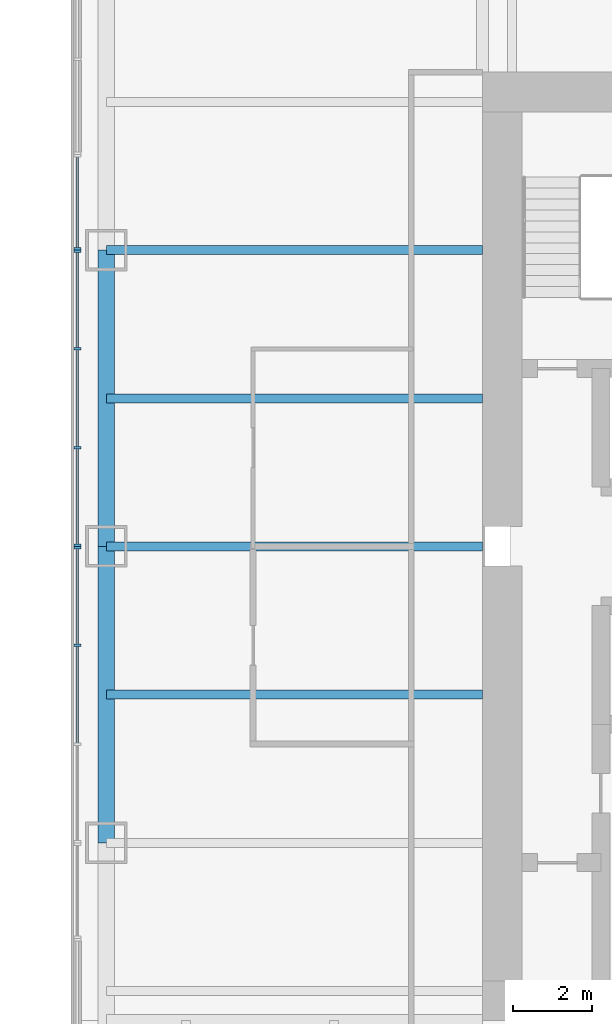
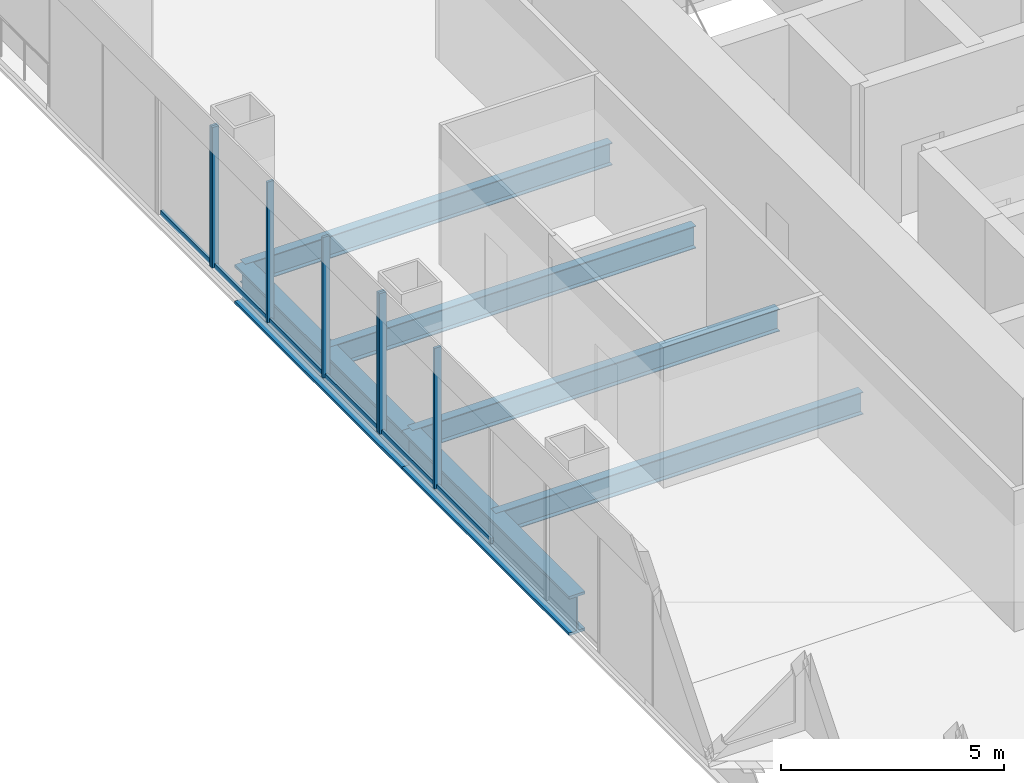
# One storey, part 3 of 13: 13 members, 6 beams, 3 elements without a shape of their own.
"""IFC4 building model written with IfcOpenShell, lengths in metres."""

from ifc_helpers import new_model, si_unit, direction, frame, origin, origin_2d, place, context, subcontext, project, spatial, rectangle, i_section, extrude, material, material_profile, profile_set, type_object, element, aggregate, save


model = new_model("IFC4")

# Units and contexts
model_context = context("Model", 3, precision=1e-05, world=origin(), true_north=direction((0.0, 1.0)))
body_context = subcontext(model_context, "Body", "Model", "MODEL_VIEW")
ifc_project = project(units=[si_unit("LENGTHUNIT", "METRE"), si_unit("AREAUNIT", "SQUARE_METRE"), si_unit("VOLUMEUNIT", "CUBIC_METRE"), si_unit("PLANEANGLEUNIT", "RADIAN"), si_unit("MASSUNIT", "GRAM", prefix="KILO")], contexts=[model_context])

# Site, building, storey
site_placement = place(None, origin())
site = spatial("IfcSite", under=ifc_project, at=site_placement, CompositionType="ELEMENT")
building_placement = place(site_placement, origin())
building = spatial("IfcBuilding", under=site, at=building_placement, Name="Tarangal Relay Tower", CompositionType="ELEMENT")
storey_placement = place(building_placement, frame((0.0, 0.0, 221.89990234375)))
storey = spatial("IfcBuildingStorey", under=building, at=storey_placement, Name="L47", CompositionType="ELEMENT", Elevation=221.89990234375)

# Beams
ifc_material_1 = material(Name="Steel ASTM A992", Category="steel")
ifc_material_profile_1 = material_profile(ifc_material_1, i_section(OverallWidth=0.41650390625, OverallDepth=1.0693359375, WebThickness=0.0390625, FlangeThickness=0.070068359375, at=origin_2d()), Name="W40X503")
ifc_profile_set_1 = profile_set([ifc_material_profile_1], Name="Steel ASTM A992")
beam_type_1 = type_object("IfcBeamType", Name="Edge girder W40X503", PredefinedType="SPANDREL", material=ifc_profile_set_1)
for number, where, z_axis, x_axis, name in (
    (1, (-21.514892578125, -7.5, -0.6845703125), (0.0, 1.0, 0.0), (-1.0, 0.0, 0.0), "Edge girder EG8 W L47"),
    (2, (-21.514892578125, 0.0, -0.6845703125), (0.0, 1.0, 0.0), (-1.0, 0.0, 0.0), "Edge girder EG8 W L47"),
):
    element("IfcBeam", number, at=place(storey_placement, frame(where, z_axis=z_axis, x_axis=x_axis)), inside=storey, type_object=beam_type_1, Name=name, PredefinedType="SPANDREL", context=body_context, shape_type="SweptSolid", body=[
        extrude(i_section(OverallWidth=0.41650390625, OverallDepth=1.0693359375, WebThickness=0.0390625, FlangeThickness=0.070068359375, at=origin_2d()), origin(), (0.0, 0.0, 1.0), 7.5),
    ])
ifc_material_profile_2 = material_profile(ifc_material_1, i_section(OverallWidth=0.22900390625, OverallDepth=0.612060546875, WebThickness=0.011962890625, FlangeThickness=0.01953125, at=origin_2d()), Name="W24X84")
ifc_profile_set_2 = profile_set([ifc_material_profile_2], Name="Steel ASTM A992")
beam_type_2 = type_object("IfcBeamType", Name="Floor beam W24X84", PredefinedType="BEAM", material=ifc_profile_set_2)
for number, where, z_axis, x_axis, name in (
    (3, (-12.0, -3.75, -0.455810546875), (-1.0, 0.0, 0.0), (0.0, -1.0, 0.0), "Floor beam RB12 W L47"),
    (4, (-12.0, 0.0, -0.455810546875), (-1.0, 0.0, 0.0), (0.0, -1.0, 0.0), "Floor beam RB12 W L47"),
    (5, (-12.0, 3.75, -0.455810546875), (-1.0, 0.0, 0.0), (0.0, -1.0, 0.0), "Floor beam RB12 W L47"),
    (6, (-12.0, 7.5, -0.455810546875), (-1.0, 0.0, 0.0), (0.0, -1.0, 0.0), "Floor beam RB12 W L47"),
):
    element("IfcBeam", number, at=place(storey_placement, frame(where, z_axis=z_axis, x_axis=x_axis)), inside=storey, type_object=beam_type_2, Name=name, PredefinedType="BEAM", context=body_context, shape_type="SweptSolid", body=[
        extrude(i_section(OverallWidth=0.22900390625, OverallDepth=0.612060546875, WebThickness=0.011962890625, FlangeThickness=0.01953125, at=origin_2d()), origin(), (0.0, 0.0, 1.0), 9.514892578125),
    ])

# Curtain wall, members
ifc_material_2 = material(Name="Unitised curtain wall, dark glass and black aluminium", Category="aluminium")
curtain_wall_type = type_object("IfcCurtainWallType", Name="Curtain wall CW-A", PredefinedType="USERDEFINED", material=ifc_material_2)
curtain_wall_1_placement = place(storey_placement, origin())
curtain_wall_1 = element("IfcCurtainWall", 7, at=curtain_wall_1_placement, inside=storey, type_object=curtain_wall_type, Name="Curtain wall CW-A W facade L47", ObjectType="UNITISED CURTAIN WALL", PredefinedType="USERDEFINED")
ifc_material_3 = material(Name="Black anodised aluminium mullion", Category="aluminium")
ifc_material_profile_3 = material_profile(ifc_material_3, rectangle(XDim=0.175048828125, YDim=0.06494140625, at=origin_2d()), Name="CW-AM 65X175")
ifc_profile_set_3 = profile_set([ifc_material_profile_3], Name="Black anodised aluminium mullion")
member_type_1 = type_object("IfcMemberType", Name="Mullion CW-A 65 x 175", PredefinedType="MULLION", material=ifc_profile_set_3)
member_1_placement = place(storey_placement, frame((-22.25, -2.5, 0.0), z_axis=(0.0, 0.0, 1.0), x_axis=(-1.0, 0.0, 0.0)))
member_1 = element("IfcMember", 8, at=member_1_placement, type_object=member_type_1, Name="CW-A mullion 3", PredefinedType="MULLION", context=body_context, shape_type="SweptSolid", body=[
    extrude(rectangle(XDim=0.175048828125, YDim=0.06494140625, at=origin_2d()), origin(), (0.0, 0.0, 1.0), 3.85009765625),
])
member_2_placement = place(storey_placement, frame((-22.25, -0.032470703125, 0.0), z_axis=(0.0, 0.0, 1.0), x_axis=(-1.0, 0.0, 0.0)))
member_2 = element("IfcMember", 9, at=member_2_placement, type_object=member_type_1, Name="CW-A mullion 4", PredefinedType="MULLION", context=body_context, shape_type="SweptSolid", body=[
    extrude(rectangle(XDim=0.175048828125, YDim=0.06494140625, at=origin_2d()), origin(), (0.0, 0.0, 1.0), 3.85009765625),
])

curtain_wall_2_placement = place(storey_placement, origin())
curtain_wall_2 = element("IfcCurtainWall", 10, at=curtain_wall_2_placement, inside=storey, type_object=curtain_wall_type, Name="Curtain wall CW-A W facade L47", ObjectType="UNITISED CURTAIN WALL", PredefinedType="USERDEFINED")
member_3_placement = place(storey_placement, frame((-22.25, 0.032470703125, 0.0), z_axis=(0.0, 0.0, 1.0), x_axis=(-1.0, 0.0, 0.0)))
member_3 = element("IfcMember", 11, at=member_3_placement, type_object=member_type_1, Name="CW-A mullion 1", PredefinedType="MULLION", context=body_context, shape_type="SweptSolid", body=[
    extrude(rectangle(XDim=0.175048828125, YDim=0.06494140625, at=origin_2d()), origin(), (0.0, 0.0, 1.0), 3.85009765625),
])
member_4_placement = place(storey_placement, frame((-22.25, 2.5, 0.0), z_axis=(0.0, 0.0, 1.0), x_axis=(-1.0, 0.0, 0.0)))
member_4 = element("IfcMember", 12, at=member_4_placement, type_object=member_type_1, Name="CW-A mullion 2", PredefinedType="MULLION", context=body_context, shape_type="SweptSolid", body=[
    extrude(rectangle(XDim=0.175048828125, YDim=0.06494140625, at=origin_2d()), origin(), (0.0, 0.0, 1.0), 3.85009765625),
])
member_5_placement = place(storey_placement, frame((-22.25, 5.0, 0.0), z_axis=(0.0, 0.0, 1.0), x_axis=(-1.0, 0.0, 0.0)))
member_5 = element("IfcMember", 13, at=member_5_placement, type_object=member_type_1, Name="CW-A mullion 3", PredefinedType="MULLION", context=body_context, shape_type="SweptSolid", body=[
    extrude(rectangle(XDim=0.175048828125, YDim=0.06494140625, at=origin_2d()), origin(), (0.0, 0.0, 1.0), 3.85009765625),
])
member_6_placement = place(storey_placement, frame((-22.25, 7.467529296875, 0.0), z_axis=(0.0, 0.0, 1.0), x_axis=(-1.0, 0.0, 0.0)))
member_6 = element("IfcMember", 14, at=member_6_placement, type_object=member_type_1, Name="CW-A mullion 4", PredefinedType="MULLION", context=body_context, shape_type="SweptSolid", body=[
    extrude(rectangle(XDim=0.175048828125, YDim=0.06494140625, at=origin_2d()), origin(), (0.0, 0.0, 1.0), 3.85009765625),
])

# Curtain wall, member
curtain_wall_3_placement = place(storey_placement, origin())
curtain_wall_3 = element("IfcCurtainWall", 15, at=curtain_wall_3_placement, inside=storey, type_object=curtain_wall_type, Name="Curtain wall CW-A W facade L47", ObjectType="UNITISED CURTAIN WALL", PredefinedType="USERDEFINED")
member_7_placement = place(storey_placement, frame((-22.25, 7.532470703125, 0.0), z_axis=(0.0, 0.0, 1.0), x_axis=(-1.0, 0.0, 0.0)))
member_7 = element("IfcMember", 16, at=member_7_placement, type_object=member_type_1, Name="CW-A mullion 1", PredefinedType="MULLION", context=body_context, shape_type="SweptSolid", body=[
    extrude(rectangle(XDim=0.175048828125, YDim=0.06494140625, at=origin_2d()), origin(), (0.0, 0.0, 1.0), 3.85009765625),
])

# Member
ifc_material_4 = material(Name="Black anodised aluminium transom", Category="aluminium")
ifc_material_profile_4 = material_profile(ifc_material_4, rectangle(XDim=0.06494140625, YDim=0.14990234375, at=origin_2d()), Name="CW-AT 65X150")
ifc_profile_set_4 = profile_set([ifc_material_profile_4], Name="Black anodised aluminium transom")
member_type_2 = type_object("IfcMemberType", Name="Transom CW-A 65 x 150", PredefinedType="USERDEFINED", material=ifc_profile_set_4)
member_8_placement = place(storey_placement, frame((-22.25, -4.967529296875, 0.03271484375), z_axis=(0.0, 1.0, 0.0), x_axis=(-1.0, 0.0, 0.0)))
member_8 = element("IfcMember", 17, at=member_8_placement, type_object=member_type_2, Name="CW-A transom 2.1", ObjectType="TRANSOM", PredefinedType="USERDEFINED", context=body_context, shape_type="SweptSolid", body=[
    extrude(rectangle(XDim=0.06494140625, YDim=0.14990234375, at=origin_2d()), origin(), (0.0, 0.0, 1.0), 2.43505859375),
])

member_9_placement = place(storey_placement, frame((-22.25, -2.467529296875, 0.03271484375), z_axis=(0.0, 1.0, 0.0), x_axis=(-1.0, 0.0, 0.0)))
member_9 = element("IfcMember", 18, at=member_9_placement, type_object=member_type_2, Name="CW-A transom 3.1", ObjectType="TRANSOM", PredefinedType="USERDEFINED", context=body_context, shape_type="SweptSolid", body=[
    extrude(rectangle(XDim=0.06494140625, YDim=0.14990234375, at=origin_2d()), origin(), (0.0, 0.0, 1.0), 2.402587890625),
])

aggregate(curtain_wall_1, [member_1, member_2, member_8, member_9])

member_10_placement = place(storey_placement, frame((-22.25, 0.06494140625, 0.03271484375), z_axis=(0.0, 1.0, 0.0), x_axis=(-1.0, 0.0, 0.0)))
member_10 = element("IfcMember", 19, at=member_10_placement, type_object=member_type_2, Name="CW-A transom 1.1", ObjectType="TRANSOM", PredefinedType="USERDEFINED", context=body_context, shape_type="SweptSolid", body=[
    extrude(rectangle(XDim=0.06494140625, YDim=0.14990234375, at=origin_2d()), origin(), (0.0, 0.0, 1.0), 2.402587890625),
])

member_11_placement = place(storey_placement, frame((-22.25, 2.532470703125, 0.03271484375), z_axis=(0.0, 1.0, 0.0), x_axis=(-1.0, 0.0, 0.0)))
member_11 = element("IfcMember", 20, at=member_11_placement, type_object=member_type_2, Name="CW-A transom 2.1", ObjectType="TRANSOM", PredefinedType="USERDEFINED", context=body_context, shape_type="SweptSolid", body=[
    extrude(rectangle(XDim=0.06494140625, YDim=0.14990234375, at=origin_2d()), origin(), (0.0, 0.0, 1.0), 2.43505859375),
])

member_12_placement = place(storey_placement, frame((-22.25, 5.032470703125, 0.03271484375), z_axis=(0.0, 1.0, 0.0), x_axis=(-1.0, 0.0, 0.0)))
member_12 = element("IfcMember", 21, at=member_12_placement, type_object=member_type_2, Name="CW-A transom 3.1", ObjectType="TRANSOM", PredefinedType="USERDEFINED", context=body_context, shape_type="SweptSolid", body=[
    extrude(rectangle(XDim=0.06494140625, YDim=0.14990234375, at=origin_2d()), origin(), (0.0, 0.0, 1.0), 2.402587890625),
])

aggregate(curtain_wall_2, [member_3, member_4, member_5, member_6, member_10, member_11, member_12])

member_13_placement = place(storey_placement, frame((-22.25, 7.56494140625, 0.03271484375), z_axis=(0.0, 1.0, 0.0), x_axis=(-1.0, 0.0, 0.0)))
member_13 = element("IfcMember", 22, at=member_13_placement, type_object=member_type_2, Name="CW-A transom 1.1", ObjectType="TRANSOM", PredefinedType="USERDEFINED", context=body_context, shape_type="SweptSolid", body=[
    extrude(rectangle(XDim=0.06494140625, YDim=0.14990234375, at=origin_2d()), origin(), (0.0, 0.0, 1.0), 2.286865234375),
])

aggregate(curtain_wall_3, [member_7, member_13])

save(model, "model.ifc")
